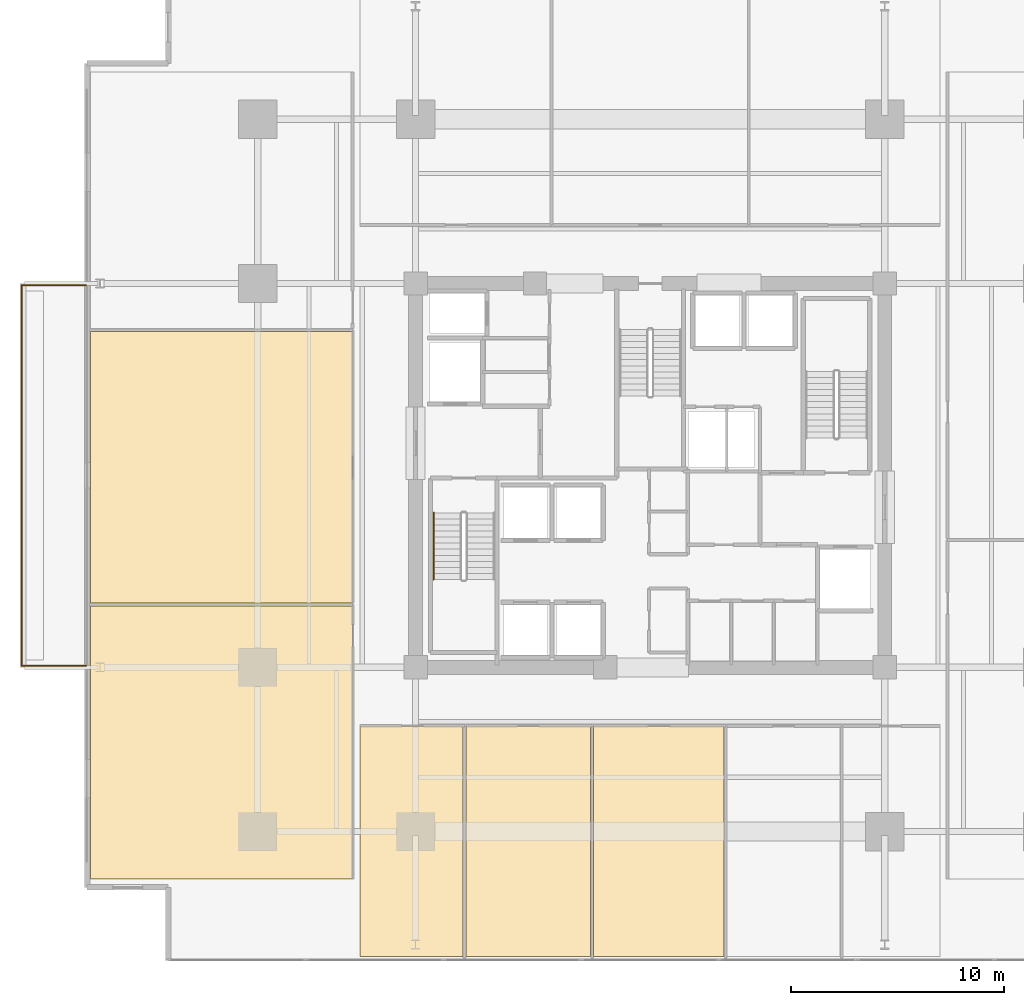
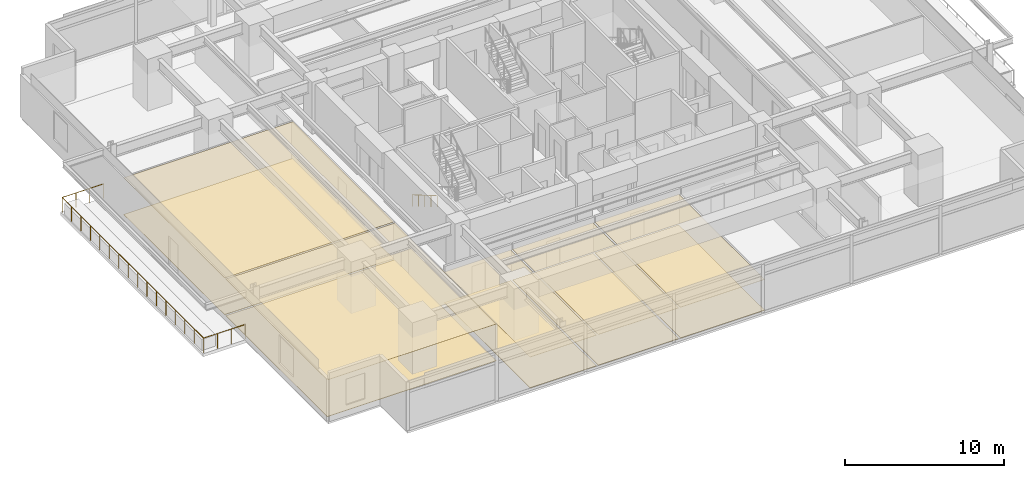
# One storey, part 19 of 22: 10 coverings, 2 railings.
"""IFC4 building model written with IfcOpenShell, lengths in metres."""

from ifc_helpers import new_model, si_unit, direction, frame, origin, origin_2d, place, context, subcontext, project, spatial, polyline, circle, outline, extrude, material, layer, layer_set, type_object, element, save


model = new_model("IFC4")

# Units and contexts
model_context = context("Model", 3, precision=1e-05, world=origin(), true_north=direction((0.0, 1.0)))
body_context = subcontext(model_context, "Body", "Model", "MODEL_VIEW")
ifc_project = project(units=[si_unit("LENGTHUNIT", "METRE"), si_unit("AREAUNIT", "SQUARE_METRE"), si_unit("VOLUMEUNIT", "CUBIC_METRE"), si_unit("PLANEANGLEUNIT", "RADIAN"), si_unit("MASSUNIT", "GRAM", prefix="KILO")], contexts=[model_context])

# Site, building, storey
site_placement = place(None, origin())
site = spatial("IfcSite", under=ifc_project, at=site_placement, CompositionType="ELEMENT")
building_placement = place(site_placement, origin())
building = spatial("IfcBuilding", under=site, at=building_placement, Name="Kovane Verandah Tower", CompositionType="ELEMENT")
storey_placement = place(building_placement, frame((0.0, 0.0, 99.60009765625)))
storey = spatial("IfcBuildingStorey", under=building, at=storey_placement, Name="L23", CompositionType="ELEMENT", Elevation=99.60009765625)

# Coverings
ifc_material_1 = material(Name="Perforated Acoustic Mineral-Fibre Ceiling Tile", Category="gypsum")
ifc_layer_1 = layer(ifc_material_1, 0.02490234375)
ifc_layer_set_1 = layer_set([ifc_layer_1], Name="Perforated Acoustic Mineral-Fibre Ceiling Tile")
covering_type_1 = type_object("IfcCoveringType", Name="CV-CEIL-25", PredefinedType="CEILING", material=ifc_layer_set_1)
covering_1_placement = place(storey_placement, frame((0.0, 0.0, 2.364990234375)))
element("IfcCovering", 1, at=covering_1_placement, inside=storey, type_object=covering_type_1, Name="L23 Meeting Room S1 Acoustic Ceiling", PredefinedType="CEILING", context=body_context, shape_type="SweptSolid", body=[
    extrude(outline(polyline([(26.39990234375, 4.930908203125), (31.22607421875, 4.930908203125), (31.22607421875, 15.75), (26.39990234375, 15.75), (26.39990234375, 4.930908203125)])), origin(), (0.0, 0.0, 1.0), 0.02490234375),
])
covering_2_placement = place(storey_placement, frame((0.0, 0.0, 2.364990234375)))
element("IfcCovering", 2, at=covering_2_placement, inside=storey, type_object=covering_type_1, Name="L23 Focus Studio S2 Acoustic Ceiling", PredefinedType="CEILING", context=body_context, shape_type="SweptSolid", body=[
    extrude(outline(polyline([(31.365966796875, 4.930908203125), (37.2099609375, 4.930908203125), (37.2099609375, 15.75), (31.365966796875, 15.75), (31.365966796875, 4.930908203125)])), origin(), (0.0, 0.0, 1.0), 0.02490234375),
])
covering_3_placement = place(storey_placement, frame((0.0, 0.0, 2.364990234375)))
element("IfcCovering", 3, at=covering_3_placement, inside=storey, type_object=covering_type_1, Name="L23 Breakout Pantry S3 Acoustic Ceiling", PredefinedType="CEILING", context=body_context, shape_type="SweptSolid", body=[
    extrude(outline(polyline([(37.35009765625, 4.930908203125), (43.466064453125, 4.930908203125), (43.466064453125, 15.75), (37.35009765625, 15.75), (37.35009765625, 4.930908203125)])), origin(), (0.0, 0.0, 1.0), 0.02490234375),
])
covering_4_placement = place(storey_placement, frame((0.0, 0.0, 2.824951171875)))
element("IfcCovering", 4, at=covering_4_placement, inside=storey, type_object=covering_type_1, Name="L23 Open Plan Office W1 Acoustic Ceiling", PredefinedType="CEILING", context=body_context, shape_type="SweptSolid", body=[
    extrude(outline(polyline([(13.75146484375, 8.5810546875), (26.050048828125, 8.5810546875), (26.050048828125, 21.3759765625), (13.75146484375, 21.3759765625), (13.75146484375, 8.5810546875)])), origin(), (0.0, 0.0, 1.0), 0.02490234375),
])
covering_5_placement = place(storey_placement, frame((0.0, 0.0, 2.824951171875)))
element("IfcCovering", 5, at=covering_5_placement, inside=storey, type_object=covering_type_1, Name="L23 Executive Office W2 Acoustic Ceiling", PredefinedType="CEILING", context=body_context, shape_type="SweptSolid", body=[
    extrude(outline(polyline([(13.75146484375, 21.515869140625), (26.050048828125, 21.515869140625), (26.050048828125, 34.24072265625), (13.75146484375, 34.24072265625), (13.75146484375, 21.515869140625)])), origin(), (0.0, 0.0, 1.0), 0.02490234375),
])
ifc_material_2 = material(Name="Polished Terrazzo and Raised-Access Carpet Tile Finish", Category="concrete")
ifc_layer_2 = layer(ifc_material_2, 0.030029296875)
ifc_layer_set_2 = layer_set([ifc_layer_2], Name="Polished Terrazzo and Raised-Access Carpet Tile Finish")
covering_type_2 = type_object("IfcCoveringType", Name="CV-FLOR-30", PredefinedType="FLOORING", material=ifc_layer_set_2)
covering_6_placement = place(storey_placement, origin())
element("IfcCovering", 6, at=covering_6_placement, inside=storey, type_object=covering_type_2, Name="L23 Meeting Room S1 Floor Finish", PredefinedType="FLOORING", context=body_context, shape_type="SweptSolid", body=[
    extrude(outline(polyline([(26.39990234375, 4.930908203125), (31.22607421875, 4.930908203125), (31.22607421875, 15.75), (26.39990234375, 15.75), (26.39990234375, 4.930908203125)])), origin(), (0.0, 0.0, 1.0), 0.02978515625),
])
covering_7_placement = place(storey_placement, origin())
element("IfcCovering", 7, at=covering_7_placement, inside=storey, type_object=covering_type_2, Name="L23 Focus Studio S2 Floor Finish", PredefinedType="FLOORING", context=body_context, shape_type="SweptSolid", body=[
    extrude(outline(polyline([(31.365966796875, 4.930908203125), (37.2099609375, 4.930908203125), (37.2099609375, 15.75), (31.365966796875, 15.75), (31.365966796875, 4.930908203125)])), origin(), (0.0, 0.0, 1.0), 0.02978515625),
])
covering_8_placement = place(storey_placement, origin())
element("IfcCovering", 8, at=covering_8_placement, inside=storey, type_object=covering_type_2, Name="L23 Breakout Pantry S3 Floor Finish", PredefinedType="FLOORING", context=body_context, shape_type="SweptSolid", body=[
    extrude(outline(polyline([(37.35009765625, 4.930908203125), (43.466064453125, 4.930908203125), (43.466064453125, 15.75), (37.35009765625, 15.75), (37.35009765625, 4.930908203125)])), origin(), (0.0, 0.0, 1.0), 0.02978515625),
])
covering_9_placement = place(storey_placement, origin())
element("IfcCovering", 9, at=covering_9_placement, inside=storey, type_object=covering_type_2, Name="L23 Open Plan Office W1 Floor Finish", PredefinedType="FLOORING", context=body_context, shape_type="SweptSolid", body=[
    extrude(outline(polyline([(13.75146484375, 8.5810546875), (26.050048828125, 8.5810546875), (26.050048828125, 21.3759765625), (13.75146484375, 21.3759765625), (13.75146484375, 8.5810546875)])), origin(), (0.0, 0.0, 1.0), 0.02978515625),
])
covering_10_placement = place(storey_placement, origin())
element("IfcCovering", 10, at=covering_10_placement, inside=storey, type_object=covering_type_2, Name="L23 Executive Office W2 Floor Finish", PredefinedType="FLOORING", context=body_context, shape_type="SweptSolid", body=[
    extrude(outline(polyline([(13.75146484375, 21.515869140625), (26.050048828125, 21.515869140625), (26.050048828125, 34.24072265625), (13.75146484375, 34.24072265625), (13.75146484375, 21.515869140625)])), origin(), (0.0, 0.0, 1.0), 0.02978515625),
])

# Railings
ifc_material_3 = material(Name="Laminated Glass and Pale-Champagne Stainless Balustrade", Category="glass")
railing_type_1 = type_object("IfcRailingType", Name="RL-BAL-1150", PredefinedType="BALUSTRADE", material=ifc_material_3)
railing_1_placement = place(storey_placement, frame((13.551513671875, 18.580078125, 0.0)))
element("IfcRailing", 11, at=railing_1_placement, inside=storey, type_object=railing_type_1, Name="L23 W Verandah Glass Balustrade", PredefinedType="BALUSTRADE", context=body_context, shape_type="SweptSolid", body=[
    extrude(circle(Radius=0.02392578125, at=origin_2d()), frame((0.0, 0.0, 1.1259765625), z_axis=(-1.0, 0.0, 0.0), x_axis=(0.0, -1.0, 0.0)), (0.0, 0.0, 1.0), 3.02001953125),
    extrude(circle(Radius=0.02392578125, at=origin_2d()), frame((-3.02001953125, 0.0, 1.1259765625), z_axis=(0.0, 1.0, 0.0), x_axis=(-1.0, 0.0, 0.0)), (0.0, 0.0, 1.0), 17.83984375),
    extrude(circle(Radius=0.02392578125, at=origin_2d()), frame((-3.02001953125, 17.83984375, 1.1259765625), z_axis=(1.0, 0.0, 0.0), x_axis=(0.0, 1.0, 0.0)), (0.0, 0.0, 1.0), 3.02001953125),
    extrude(circle(Radius=0.02099609375, at=origin_2d()), origin(), (0.0, 0.0, 1.0), 1.101806640625),
    extrude(circle(Radius=0.02099609375, at=origin_2d()), frame((-1.006591796875, 0.0, 0.0)), (0.0, 0.0, 1.0), 1.101806640625),
    extrude(circle(Radius=0.02099609375, at=origin_2d()), frame((-2.013427734375, 0.0, 0.0)), (0.0, 0.0, 1.0), 1.101806640625),
    extrude(circle(Radius=0.02099609375, at=origin_2d()), frame((-3.02001953125, 0.0, 0.0)), (0.0, 0.0, 1.0), 1.101806640625),
    extrude(circle(Radius=0.02099609375, at=origin_2d()), frame((-3.02001953125, 1.189208984375, 0.0)), (0.0, 0.0, 1.0), 1.101806640625),
    extrude(circle(Radius=0.02099609375, at=origin_2d()), frame((-3.02001953125, 2.378662109375, 0.0)), (0.0, 0.0, 1.0), 1.101806640625),
    extrude(circle(Radius=0.02099609375, at=origin_2d()), frame((-3.02001953125, 3.56787109375, 0.0)), (0.0, 0.0, 1.0), 1.101806640625),
    extrude(circle(Radius=0.02099609375, at=origin_2d()), frame((-3.02001953125, 4.75732421875, 0.0)), (0.0, 0.0, 1.0), 1.101806640625),
    extrude(circle(Radius=0.02099609375, at=origin_2d()), frame((-3.02001953125, 5.946533203125, 0.0)), (0.0, 0.0, 1.0), 1.101806640625),
    extrude(circle(Radius=0.02099609375, at=origin_2d()), frame((-3.02001953125, 7.135986328125, 0.0)), (0.0, 0.0, 1.0), 1.101806640625),
    extrude(circle(Radius=0.02099609375, at=origin_2d()), frame((-3.02001953125, 8.3251953125, 0.0)), (0.0, 0.0, 1.0), 1.101806640625),
    extrude(circle(Radius=0.02099609375, at=origin_2d()), frame((-3.02001953125, 9.5146484375, 0.0)), (0.0, 0.0, 1.0), 1.101806640625),
    extrude(circle(Radius=0.02099609375, at=origin_2d()), frame((-3.02001953125, 10.703857421875, 0.0)), (0.0, 0.0, 1.0), 1.101806640625),
    extrude(circle(Radius=0.02099609375, at=origin_2d()), frame((-3.02001953125, 11.893310546875, 0.0)), (0.0, 0.0, 1.0), 1.101806640625),
    extrude(circle(Radius=0.02099609375, at=origin_2d()), frame((-3.02001953125, 13.08251953125, 0.0)), (0.0, 0.0, 1.0), 1.101806640625),
    extrude(circle(Radius=0.02099609375, at=origin_2d()), frame((-3.02001953125, 14.27197265625, 0.0)), (0.0, 0.0, 1.0), 1.101806640625),
    extrude(circle(Radius=0.02099609375, at=origin_2d()), frame((-3.02001953125, 15.461181640625, 0.0)), (0.0, 0.0, 1.0), 1.101806640625),
    extrude(circle(Radius=0.02099609375, at=origin_2d()), frame((-3.02001953125, 16.650634765625, 0.0)), (0.0, 0.0, 1.0), 1.101806640625),
    extrude(circle(Radius=0.02099609375, at=origin_2d()), frame((-3.02001953125, 17.83984375, 0.0)), (0.0, 0.0, 1.0), 1.101806640625),
    extrude(circle(Radius=0.02099609375, at=origin_2d()), frame((-2.013427734375, 17.83984375, 0.0)), (0.0, 0.0, 1.0), 1.101806640625),
    extrude(circle(Radius=0.02099609375, at=origin_2d()), frame((-1.006591796875, 17.83984375, 0.0)), (0.0, 0.0, 1.0), 1.101806640625),
    extrude(circle(Radius=0.02099609375, at=origin_2d()), frame((0.0, 17.83984375, 0.0)), (0.0, 0.0, 1.0), 1.101806640625),
])
ifc_material_4 = material(Name="Brushed Stainless Steel Handrail", Category="steel")
railing_type_2 = type_object("IfcRailingType", Name="RL-HAND-920", PredefinedType="HANDRAIL", material=ifc_material_4)
railing_2_placement = place(storey_placement, frame((29.85009765625, 25.75, 0.16650390625)))
element("IfcRailing", 12, at=railing_2_placement, inside=storey, type_object=railing_type_2, Name="L23 ST-01 stair handrail 1", PredefinedType="HANDRAIL", context=body_context, shape_type="SweptSolid", body=[
    extrude(circle(Radius=0.02392578125, at=origin_2d()), frame((0.0, 0.0, 0.8759765625), z_axis=(0.0, -0.863210265497, 0.504844567704), x_axis=(1.0, 0.0, 0.0)), (0.0, 0.0, 1.0), 3.6318359375),
    extrude(circle(Radius=0.02099609375, at=origin_2d()), origin(), (0.0, 0.0, 1.0), 0.851806640625),
    extrude(circle(Radius=0.02099609375, at=origin_2d()), frame((0.0, -0.78369140625, 0.45849609375)), (0.0, 0.0, 1.0), 0.851806640625),
    extrude(circle(Radius=0.02099609375, at=origin_2d()), frame((0.0, -1.5673828125, 0.916748046875)), (0.0, 0.0, 1.0), 0.851806640625),
    extrude(circle(Radius=0.02099609375, at=origin_2d()), frame((0.0, -2.351318359375, 1.375)), (0.0, 0.0, 1.0), 0.851806640625),
    extrude(circle(Radius=0.02099609375, at=origin_2d()), frame((0.0, -3.135009765625, 1.83349609375)), (0.0, 0.0, 1.0), 0.851806640625),
])

save(model, "model.ifc")
